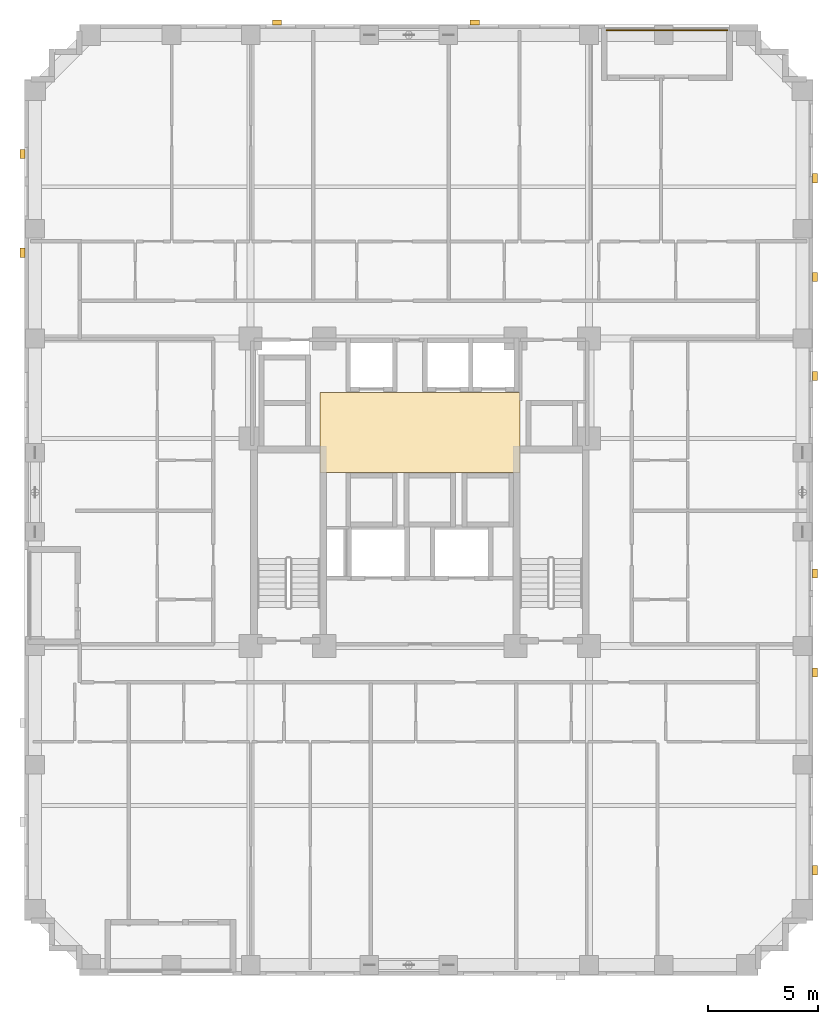
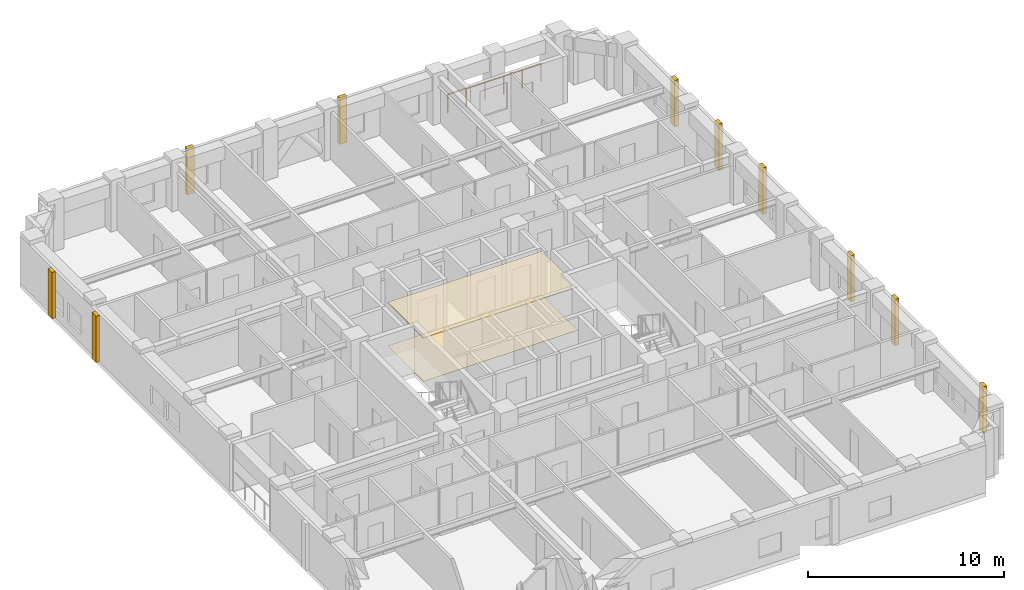
# One storey, part 12 of 12: 12 coverings, 1 railing.
"""IFC4 building model written with IfcOpenShell, lengths in metres."""

from ifc_helpers import new_model, si_unit, derived_unit, direction, frame, origin, origin_2d, place, context, subcontext, project, spatial, polyline, rectangle, circle, outline, extrude, material, layer, layer_set, type_object, element, save


model = new_model("IFC4")

# Units and contexts
model_context = context("Model", 3, precision=1e-05, world=origin(), true_north=direction((0.0, 1.0)))
body_context = subcontext(model_context, "Body", "Model", "MODEL_VIEW")
ifc_project = project(units=[si_unit("LENGTHUNIT", "METRE"), si_unit("AREAUNIT", "SQUARE_METRE"), si_unit("VOLUMEUNIT", "CUBIC_METRE"), si_unit("PLANEANGLEUNIT", "RADIAN"), si_unit("MASSUNIT", "GRAM", prefix="KILO"), derived_unit("THERMALTRANSMITTANCEUNIT", [(si_unit("MASSUNIT", "GRAM", prefix="KILO"), 1), (si_unit("TIMEUNIT", "SECOND"), -3), (si_unit("THERMODYNAMICTEMPERATUREUNIT", "KELVIN"), -1)])], contexts=[model_context])

# Site, building, storey
site_placement = place(None, origin())
site = spatial("IfcSite", under=ifc_project, at=site_placement, CompositionType="ELEMENT")
building_placement = place(site_placement, origin())
building = spatial("IfcBuilding", under=site, at=building_placement, Name="Korrvale Station Residences", CompositionType="ELEMENT")
storey_placement = place(building_placement, frame((0.0, 0.0, 87.89990234375)))
storey = spatial("IfcBuildingStorey", under=building, at=storey_placement, Name="L24", CompositionType="ELEMENT", Elevation=87.89990234375)

# Coverings
ifc_material_1 = material(Name="Perforated acoustic mineral-fibre suspended ceiling", Category="gypsum")
ifc_layer_1 = layer(ifc_material_1, 0.050048828125, Name="Perforated acoustic mineral-fibre suspended ceiling")
ifc_layer_set_1 = layer_set([ifc_layer_1], Name="Perforated acoustic mineral-fibre suspended ceiling")
covering_type_1 = type_object("IfcCoveringType", Name="COV-CLG-AC60", PredefinedType="CEILING", material=ifc_layer_set_1)
covering_1_placement = place(storey_placement, frame((0.0, 0.0, 2.690185546875)))
element("IfcCovering", 1, at=covering_1_placement, inside=storey, type_object=covering_type_1, Name="L24 Elevator Lobby Acoustic Ceiling", PredefinedType="CEILING", context=body_context, shape_type="SweptSolid", body=[
    extrude(outline(polyline([(20.949951171875, 22.89990234375), (30.050048828125, 22.89990234375), (30.050048828125, 26.550048828125), (20.949951171875, 26.550048828125), (20.949951171875, 22.89990234375)])), origin(), (0.0, 0.0, 1.0), 0.0498046875),
])
ifc_material_2 = material(Name="Polished quartz-terrazzo lobby flooring", Category="masonry")
ifc_layer_2 = layer(ifc_material_2, 0.02001953125, Name="Polished quartz-terrazzo lobby flooring")
ifc_layer_set_2 = layer_set([ifc_layer_2], Name="Polished quartz-terrazzo lobby flooring")
covering_type_2 = type_object("IfcCoveringType", Name="COV-FLR-TER20", PredefinedType="FLOORING", material=ifc_layer_set_2)
covering_2_placement = place(storey_placement, origin())
element("IfcCovering", 2, at=covering_2_placement, inside=storey, type_object=covering_type_2, Name="L24 Elevator Lobby Terrazzo Flooring", PredefinedType="FLOORING", context=body_context, shape_type="SweptSolid", body=[
    extrude(outline(polyline([(20.949951171875, 22.89990234375), (30.050048828125, 22.89990234375), (30.050048828125, 26.550048828125), (20.949951171875, 26.550048828125), (20.949951171875, 22.89990234375)])), origin(), (0.0, 0.0, 1.0), 0.02001953125),
])
ifc_material_3 = material(Name="Architectural precast concrete C45/55", Category="concrete")
ifc_layer_3 = layer(ifc_material_3, 0.219970703125, Name="Architectural precast concrete C45/55")
ifc_layer_set_3 = layer_set([ifc_layer_3], Name="Architectural precast concrete C45/55")
covering_type_3 = type_object("IfcCoveringType", Name="COV-PIER-400", PredefinedType="CLADDING", material=ifc_layer_set_3)
for number, where, z_axis, x_axis, name in (
    (3, (19.0, 43.389892578125, 0.025390625), (0.0, 0.0, 1.0), (1.0, 0.0, 0.0), "L24 Architectural Precast Facade Pier 02"),
    (4, (28.0, 43.389892578125, 0.025390625), (0.0, 0.0, 1.0), (1.0, 0.0, 0.0), "L24 Architectural Precast Facade Pier 03"),
    (5, (7.409912109375, 32.89990234375, 0.025390625), (0.0, 0.0, 1.0), (0.0, 1.0, 0.0), "L24 Architectural Precast Facade Pier 06"),
    (6, (7.409912109375, 37.39990234375, 0.025390625), (0.0, 0.0, 1.0), (0.0, 1.0, 0.0), "L24 Architectural Precast Facade Pier 07"),
    (7, (43.489990234375, 36.300048828125, 0.025390625), (0.0, 0.0, 1.0), (0.0, 1.0, 0.0), "L24 Architectural Precast Facade Pier 08"),
    (8, (43.489990234375, 31.800048828125, 0.025390625), (0.0, 0.0, 1.0), (0.0, 1.0, 0.0), "L24 Architectural Precast Facade Pier 09"),
    (9, (43.489990234375, 27.300048828125, 0.025390625), (0.0, 0.0, 1.0), (0.0, 1.0, 0.0), "L24 Architectural Precast Facade Pier 10"),
    (10, (43.489990234375, 18.300048828125, 0.025390625), (0.0, 0.0, 1.0), (0.0, 1.0, 0.0), "L24 Architectural Precast Facade Pier 11"),
    (11, (43.489990234375, 13.800048828125, 0.025390625), (0.0, 0.0, 1.0), (0.0, 1.0, 0.0), "L24 Architectural Precast Facade Pier 12"),
    (12, (43.489990234375, 4.800048828125, 0.025390625), (0.0, 0.0, 1.0), (0.0, 1.0, 0.0), "L24 Architectural Precast Facade Pier 13"),
):
    element("IfcCovering", number, at=place(storey_placement, frame(where, z_axis=z_axis, x_axis=x_axis)), inside=storey, type_object=covering_type_3, Name=name, PredefinedType="CLADDING", context=body_context, shape_type="SweptSolid", body=[
        extrude(rectangle(XDim=0.419921875, YDim=0.219970703125, at=origin_2d()), origin(), (0.0, 0.0, 1.0), 2.889892578125),
    ])

# Railing
ifc_material_4 = material(Name="Powder-coated aluminium picket loggia guard", Category="aluminium")
railing_type = type_object("IfcRailingType", Name="RLG-BAL-1150", PredefinedType="GUARDRAIL", material=ifc_material_4)
railing_placement = place(storey_placement, frame((34.0, 43.030029296875, 0.0)))
element("IfcRailing", 13, at=railing_placement, inside=storey, type_object=railing_type, Name="L24 Recessed Loggia Guardrail BAL-L24-N1", PredefinedType="GUARDRAIL", context=body_context, shape_type="SweptSolid", body=[
    extrude(circle(Radius=0.02392578125, at=origin_2d()), frame((0.0, 0.0, 1.1259765625), z_axis=(1.0, 0.0, 0.0), x_axis=(0.0, 1.0, 0.0)), (0.0, 0.0, 1.0), 5.5),
    extrude(circle(Radius=0.02099609375, at=origin_2d()), origin(), (0.0, 0.0, 1.0), 1.101806640625),
    extrude(circle(Radius=0.02099609375, at=origin_2d()), frame((1.10009765625, 0.0, 0.0)), (0.0, 0.0, 1.0), 1.101806640625),
    extrude(circle(Radius=0.02099609375, at=origin_2d()), frame((2.199951171875, 0.0, 0.0)), (0.0, 0.0, 1.0), 1.101806640625),
    extrude(circle(Radius=0.02099609375, at=origin_2d()), frame((3.300048828125, 0.0, 0.0)), (0.0, 0.0, 1.0), 1.101806640625),
    extrude(circle(Radius=0.02099609375, at=origin_2d()), frame((4.39990234375, 0.0, 0.0)), (0.0, 0.0, 1.0), 1.101806640625),
    extrude(circle(Radius=0.02099609375, at=origin_2d()), frame((5.5, 0.0, 0.0)), (0.0, 0.0, 1.0), 1.101806640625),
])

save(model, "model.ifc")
